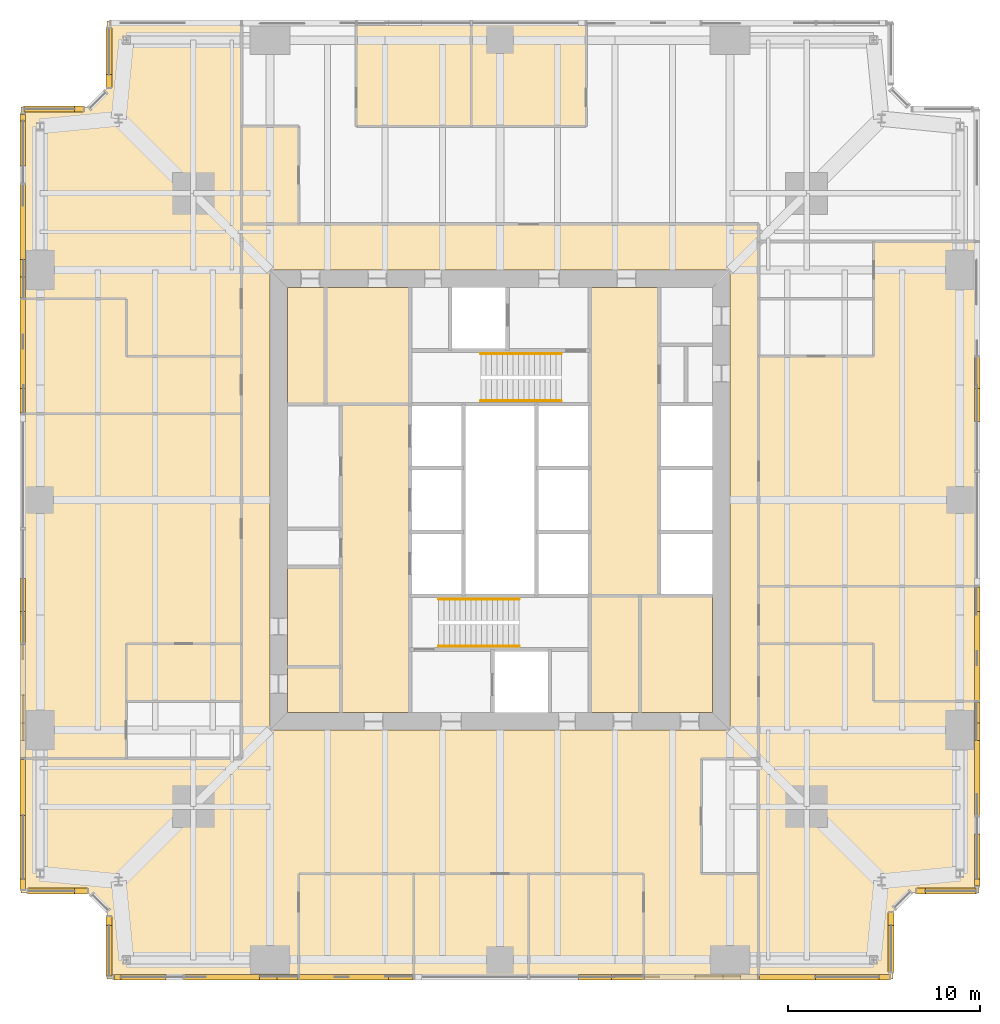
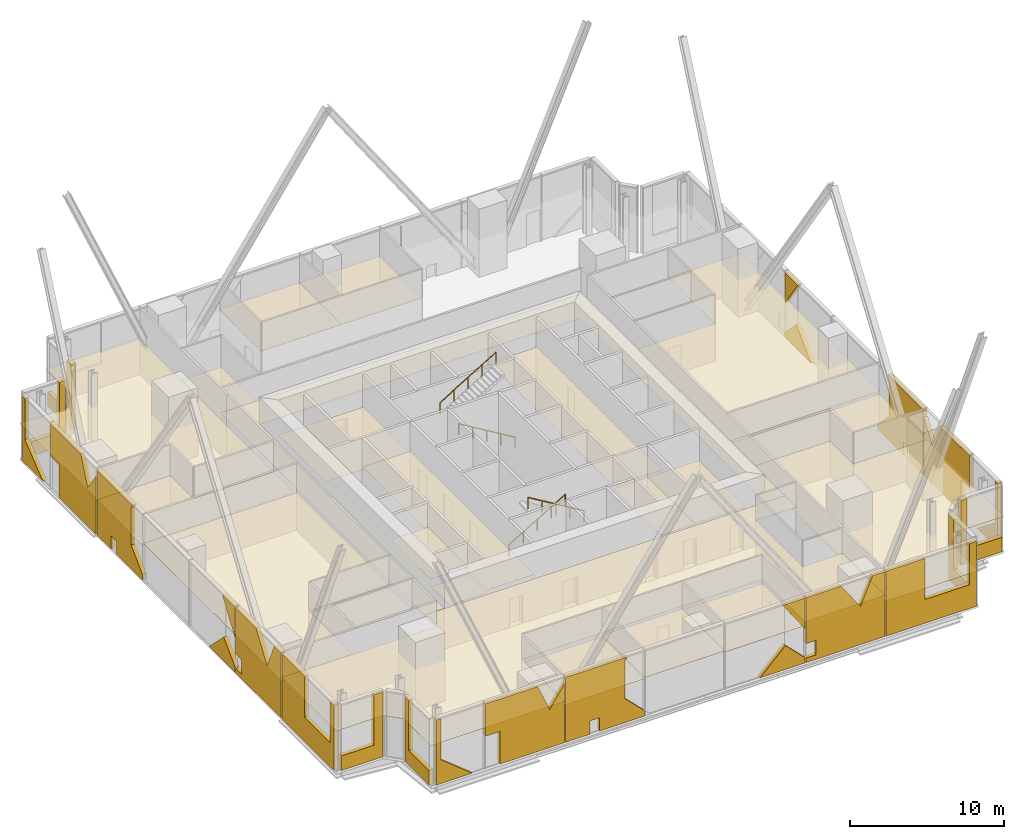
# One storey, part 12 of 13: 48 coverings, 4 railings.
"""IFC4 building model written with IfcOpenShell, lengths in metres."""

from ifc_helpers import new_model, si_unit, direction, frame, origin, origin_2d, place, context, subcontext, project, spatial, polyline, circle, outline, extrude, material, layer, layer_set, type_object, element, save


model = new_model("IFC4")

# Units and contexts
model_context = context("Model", 3, precision=1e-05, world=origin(), true_north=direction((0.0, 1.0)))
body_context = subcontext(model_context, "Body", "Model", "MODEL_VIEW")
ifc_project = project(units=[si_unit("LENGTHUNIT", "METRE"), si_unit("AREAUNIT", "SQUARE_METRE"), si_unit("VOLUMEUNIT", "CUBIC_METRE"), si_unit("PLANEANGLEUNIT", "RADIAN"), si_unit("MASSUNIT", "GRAM", prefix="KILO")], contexts=[model_context])

# Site, building, storey
site_placement = place(None, origin())
site = spatial("IfcSite", under=ifc_project, at=site_placement, CompositionType="ELEMENT")
building_placement = place(site_placement, origin())
building = spatial("IfcBuilding", under=site, at=building_placement, Name="Fenwick Lantern Interchange", CompositionType="ELEMENT")
storey_placement = place(building_placement, frame((0.0, 0.0, 97.0)))
storey = spatial("IfcBuildingStorey", under=building, at=storey_placement, Name="L22", CompositionType="ELEMENT", Elevation=97.0)

# Coverings
ifc_material_1 = material(Name="Mineral fibre acoustic tile on suspended grid")
ifc_layer_1 = layer(ifc_material_1, 0.02001953125)
ifc_layer_set_1 = layer_set([ifc_layer_1], Name="ACOUSTIC TILE CEILING 20")
covering_type_1 = type_object("IfcCoveringType", Name="ACOUSTIC TILE CEILING 20", PredefinedType="CEILING", material=ifc_layer_set_1)
covering_1_placement = place(storey_placement, frame((0.0, 0.0, 2.89990234375)))
element("IfcCovering", 1, at=covering_1_placement, inside=storey, type_object=covering_type_1, Name="Meeting room ceiling", PredefinedType="CEILING", context=body_context, shape_type="SweptSolid", body=[
    extrude(outline(polyline([(14.5, 0.0), (20.5, 0.0), (20.5, 5.5), (14.5, 5.5), (14.5, 0.0)])), origin(), (0.0, 0.0, 1.0), 0.02001953125),
])
covering_2_placement = place(storey_placement, frame((0.0, 0.0, 2.89990234375)))
element("IfcCovering", 2, at=covering_2_placement, inside=storey, type_object=covering_type_1, Name="Meeting room ceiling", PredefinedType="CEILING", context=body_context, shape_type="SweptSolid", body=[
    extrude(outline(polyline([(26.5, 0.0), (32.5, 0.0), (32.5, 5.5), (26.5, 5.5), (26.5, 0.0)])), origin(), (0.0, 0.0, 1.0), 0.02001953125),
])
covering_3_placement = place(storey_placement, frame((0.0, 0.0, 2.699951171875)))
element("IfcCovering", 3, at=covering_3_placement, inside=storey, type_object=covering_type_1, Name="Mail room ceiling", PredefinedType="CEILING", context=body_context, shape_type="SweptSolid", body=[
    extrude(outline(polyline([(46.5, 4.5), (50.0, 4.5), (50.0, 14.5), (44.5, 14.5), (44.5, 17.5), (38.5, 17.5), (38.5, 0.0), (45.5, 0.0), (45.5, 3.5), (46.5, 4.5)])), origin(), (0.0, 0.0, 1.0), 0.02001953125),
])
covering_4_placement = place(storey_placement, frame((0.0, 0.0, 2.699951171875)))
element("IfcCovering", 4, at=covering_4_placement, inside=storey, type_object=covering_type_1, Name="Security office ceiling", PredefinedType="CEILING", context=body_context, shape_type="SweptSolid", body=[
    extrude(outline(polyline([(50.0, 20.5), (38.5, 20.5), (38.5, 17.5), (44.5, 17.5), (44.5, 14.5), (50.0, 14.5), (50.0, 20.5)])), origin(), (0.0, 0.0, 1.0), 0.02001953125),
])
covering_5_placement = place(storey_placement, frame((0.0, 0.0, 2.89990234375)))
element("IfcCovering", 5, at=covering_5_placement, inside=storey, type_object=covering_type_1, Name="Business centre ceiling", PredefinedType="CEILING", context=body_context, shape_type="SweptSolid", body=[
    extrude(outline(polyline([(50.0, 20.5), (50.0, 38.5), (44.5, 38.5), (44.5, 32.5), (38.5, 32.5), (38.5, 20.5), (50.0, 20.5)])), origin(), (0.0, 0.0, 1.0), 0.02001953125),
])
covering_6_placement = place(storey_placement, frame((0.0, 0.0, 2.89990234375)))
element("IfcCovering", 6, at=covering_6_placement, inside=storey, type_object=covering_type_1, Name="Office ceiling", PredefinedType="CEILING", context=body_context, shape_type="SweptSolid", body=[
    extrude(outline(polyline([(29.5, 50.0), (23.5, 50.0), (23.5, 44.5), (29.5, 44.5), (29.5, 50.0)])), origin(), (0.0, 0.0, 1.0), 0.02001953125),
])
covering_7_placement = place(storey_placement, frame((0.0, 0.0, 2.89990234375)))
element("IfcCovering", 7, at=covering_7_placement, inside=storey, type_object=covering_type_1, Name="Meeting room ceiling", PredefinedType="CEILING", context=body_context, shape_type="SweptSolid", body=[
    extrude(outline(polyline([(23.5, 50.0), (17.5, 50.0), (17.5, 44.5), (23.5, 44.5), (23.5, 50.0)])), origin(), (0.0, 0.0, 1.0), 0.02001953125),
])
covering_8_placement = place(storey_placement, frame((0.0, 0.0, 2.699951171875)))
element("IfcCovering", 8, at=covering_8_placement, inside=storey, type_object=covering_type_1, Name="Mail room ceiling", PredefinedType="CEILING", context=body_context, shape_type="SweptSolid", body=[
    extrude(outline(polyline([(3.5, 45.5), (0.0, 45.5), (0.0, 35.5), (5.5, 35.5), (5.5, 32.5), (11.5, 32.5), (11.5, 50.0), (4.5, 50.0), (4.5, 46.5), (3.5, 45.5)])), origin(), (0.0, 0.0, 1.0), 0.02001953125),
])
covering_9_placement = place(storey_placement, frame((0.0, 0.0, 2.699951171875)))
element("IfcCovering", 9, at=covering_9_placement, inside=storey, type_object=covering_type_1, Name="Security office ceiling", PredefinedType="CEILING", context=body_context, shape_type="SweptSolid", body=[
    extrude(outline(polyline([(0.0, 29.5), (11.5, 29.5), (11.5, 32.5), (5.5, 32.5), (5.5, 35.5), (0.0, 35.5), (0.0, 29.5)])), origin(), (0.0, 0.0, 1.0), 0.02001953125),
])
covering_10_placement = place(storey_placement, frame((0.0, 0.0, 2.89990234375)))
element("IfcCovering", 10, at=covering_10_placement, inside=storey, type_object=covering_type_1, Name="Business centre ceiling", PredefinedType="CEILING", context=body_context, shape_type="SweptSolid", body=[
    extrude(outline(polyline([(0.0, 29.5), (0.0, 11.5), (5.5, 11.5), (5.5, 17.5), (11.5, 17.5), (11.5, 29.5), (0.0, 29.5)])), origin(), (0.0, 0.0, 1.0), 0.02001953125),
])
ifc_material_2 = material(Name="Granite cladding, warm grey flamed finish, on aluminium carrier frame", Category="masonry")
ifc_layer_2 = layer(ifc_material_2, 0.300048828125)
ifc_layer_set_2 = layer_set([ifc_layer_2], Name="BRACE CASING PANEL 300")
covering_type_2 = type_object("IfcCoveringType", Name="BRACE CASING PANEL 300", PredefinedType="CLADDING", material=ifc_layer_set_2)
covering_11_placement = place(storey_placement, frame((4.60009765625, 0.10009765625, 0.0), z_axis=(0.0, 0.0, 1.0), x_axis=(1.0, 0.0, 0.0)))
element("IfcCovering", 11, at=covering_11_placement, inside=storey, type_object=covering_type_2, Name="Brace casing 01 bay 00a", PredefinedType="CLADDING", context=body_context, shape_type="SweptSolid", body=[
    extrude(outline(polyline([(0.280029296875, 0.0), (2.968994140625, 0.0), (0.618896484375, 1.880126953125), (0.618896484375, 5.1298828125), (0.280029296875, 5.1298828125), (0.280029296875, 0.0)])), frame((0.0, 0.14990234375, 0.0), z_axis=(0.0, -1.0, 0.0), x_axis=(1.0, 0.0, 0.0)), (0.0, 0.0, 1.0), 0.300048828125),
])
covering_12_placement = place(storey_placement, frame((4.60009765625, 0.10009765625, 0.0), z_axis=(0.0, 0.0, 1.0), x_axis=(1.0, 0.0, 0.0)))
element("IfcCovering", 12, at=covering_12_placement, inside=storey, type_object=covering_type_2, Name="Brace casing 01 bay 01a", PredefinedType="CLADDING", context=body_context, shape_type="SweptSolid", body=[
    extrude(outline(polyline([(5.0400390625, 0.0), (9.860107421875, 0.0), (9.860107421875, 4.61279296875), (8.765625, 3.017822265625), (7.85986328125, 5.1298828125), (3.93994140625, 5.1298828125), (3.93994140625, 2.571533203125), (5.0400390625, 2.571533203125), (5.0400390625, 0.0)])), frame((0.0, 0.14990234375, 0.0), z_axis=(0.0, -1.0, 0.0), x_axis=(1.0, 0.0, 0.0)), (0.0, 0.0, 1.0), 0.300048828125),
])
covering_13_placement = place(storey_placement, frame((4.60009765625, 0.10009765625, 0.0), z_axis=(0.0, 0.0, 1.0), x_axis=(1.0, 0.0, 0.0)))
element("IfcCovering", 13, at=covering_13_placement, inside=storey, type_object=covering_type_2, Name="Brace casing 01 bay 02a", PredefinedType="CLADDING", context=body_context, shape_type="SweptSolid", body=[
    extrude(outline(polyline([(9.93994140625, 0.0), (11.781005859375, 0.0), (11.781005859375, 1.049560546875), (12.5009765625, 1.049560546875), (12.5009765625, 0.0), (15.860107421875, 0.0), (15.860107421875, 0.435546875), (14.39990234375, 1.8955078125), (14.39990234375, 4.86669921875), (14.58056640625, 5.1298828125), (9.93994140625, 5.1298828125), (9.93994140625, 0.0)])), frame((0.0, 0.14990234375, 0.0), z_axis=(0.0, -1.0, 0.0), x_axis=(1.0, 0.0, 0.0)), (0.0, 0.0, 1.0), 0.300048828125),
])
covering_14_placement = place(storey_placement, frame((4.60009765625, 0.10009765625, 0.0), z_axis=(0.0, 0.0, 1.0), x_axis=(1.0, 0.0, 0.0)))
element("IfcCovering", 14, at=covering_14_placement, inside=storey, type_object=covering_type_2, Name="Brace casing 01 bay 04a", PredefinedType="CLADDING", context=body_context, shape_type="SweptSolid", body=[
    extrude(outline(polyline([(24.50439453125, 0.0), (27.860107421875, 0.0), (27.860107421875, 0.435546875), (26.39990234375, 1.8955078125), (24.50439453125, 0.0)])), frame((0.0, 0.14990234375, 0.0), z_axis=(0.0, -1.0, 0.0), x_axis=(1.0, 0.0, 0.0)), (0.0, 0.0, 1.0), 0.300048828125),
])
covering_15_placement = place(storey_placement, frame((4.60009765625, 0.10009765625, 2.73876953125), z_axis=(0.0, 0.0, 1.0), x_axis=(1.0, 0.0, 0.0)))
element("IfcCovering", 15, at=covering_15_placement, inside=storey, type_object=covering_type_2, Name="Brace casing 01 bay 04b", PredefinedType="CLADDING", context=body_context, shape_type="SweptSolid", body=[
    extrude(outline(polyline([(27.860107421875, 0.0), (27.860107421875, 2.39111328125), (26.219482421875, 2.39111328125), (27.860107421875, 0.0)])), frame((0.0, 0.14990234375, 0.0), z_axis=(0.0, -1.0, 0.0), x_axis=(1.0, 0.0, 0.0)), (0.0, 0.0, 1.0), 0.300048828125),
])
covering_16_placement = place(storey_placement, frame((4.60009765625, 0.10009765625, 0.0), z_axis=(0.0, 0.0, 1.0), x_axis=(1.0, 0.0, 0.0)))
element("IfcCovering", 16, at=covering_16_placement, inside=storey, type_object=covering_type_2, Name="Brace casing 01 bay 05a", PredefinedType="CLADDING", context=body_context, shape_type="SweptSolid", body=[
    extrude(outline(polyline([(27.93994140625, 0.0), (33.860107421875, 0.0), (33.860107421875, 5.1298828125), (32.940185546875, 5.1298828125), (32.034423828125, 3.017822265625), (30.585205078125, 5.1298828125), (27.93994140625, 5.1298828125), (27.93994140625, 1.492431640625), (28.715087890625, 1.492431640625), (28.715087890625, 0.35546875), (27.93994140625, 0.35546875), (27.93994140625, 0.0)])), frame((0.0, 0.14990234375, 0.0), z_axis=(0.0, -1.0, 0.0), x_axis=(1.0, 0.0, 0.0)), (0.0, 0.0, 1.0), 0.300048828125),
])
covering_17_placement = place(storey_placement, frame((4.60009765625, 0.10009765625, 0.0), z_axis=(0.0, 0.0, 1.0), x_axis=(1.0, 0.0, 0.0)))
element("IfcCovering", 17, at=covering_17_placement, inside=storey, type_object=covering_type_2, Name="Brace casing 01 bay 06a", PredefinedType="CLADDING", context=body_context, shape_type="SweptSolid", body=[
    extrude(outline(polyline([(33.93994140625, 0.0), (40.719970703125, 0.0), (40.719970703125, 5.1298828125), (40.18115234375, 5.1298828125), (40.18115234375, 1.880126953125), (36.857421875, 1.880126953125), (36.857421875, 5.1298828125), (33.93994140625, 5.1298828125), (33.93994140625, 0.0)])), frame((0.0, 0.14990234375, 0.0), z_axis=(0.0, -1.0, 0.0), x_axis=(1.0, 0.0, 0.0)), (0.0, 0.0, 1.0), 0.300048828125),
])
covering_18_placement = place(storey_placement, frame((45.39990234375, 0.10009765625, 0.0), z_axis=(0.0, 0.0, 1.0), x_axis=(0.0, 1.0, 0.0)))
element("IfcCovering", 18, at=covering_18_placement, inside=storey, type_object=covering_type_2, Name="Brace casing 02 bay 00a", PredefinedType="CLADDING", context=body_context, shape_type="SweptSolid", body=[
    extrude(outline(polyline([(0.280029296875, 0.0), (3.361328125, 0.0), (3.361328125, 5.1298828125), (2.699951171875, 5.1298828125), (2.699951171875, 1.14990234375), (0.280029296875, 1.14990234375), (0.280029296875, 0.0)])), frame((0.0, 0.14990234375, 0.0), z_axis=(0.0, -1.0, 0.0), x_axis=(1.0, 0.0, 0.0)), (0.0, 0.0, 1.0), 0.300048828125),
])
covering_19_placement = place(storey_placement, frame((46.45849609375, 4.60009765625, 0.0), z_axis=(0.0, 0.0, 1.0), x_axis=(1.0, 0.0, 0.0)))
element("IfcCovering", 19, at=covering_19_placement, inside=storey, type_object=covering_type_2, Name="Brace casing 04 bay 00a", PredefinedType="CLADDING", context=body_context, shape_type="SweptSolid", body=[
    extrude(outline(polyline([(0.280029296875, 0.0), (3.361328125, 0.0), (3.361328125, 1.14990234375), (0.741455078125, 1.14990234375), (0.741455078125, 5.1298828125), (0.280029296875, 5.1298828125), (0.280029296875, 0.0)])), frame((0.0, 0.14990234375, 0.0), z_axis=(0.0, -1.0, 0.0), x_axis=(1.0, 0.0, 0.0)), (0.0, 0.0, 1.0), 0.300048828125),
])
covering_20_placement = place(storey_placement, frame((49.89990234375, 4.60009765625, 0.0), z_axis=(0.0, 0.0, 1.0), x_axis=(0.0, 1.0, 0.0)))
element("IfcCovering", 20, at=covering_20_placement, inside=storey, type_object=covering_type_2, Name="Brace casing 05 bay 00a", PredefinedType="CLADDING", context=body_context, shape_type="SweptSolid", body=[
    extrude(outline(polyline([(0.280029296875, 0.0), (2.968994140625, 0.0), (0.618896484375, 1.880126953125), (0.618896484375, 5.1298828125), (0.280029296875, 5.1298828125), (0.280029296875, 0.0)])), frame((0.0, 0.14990234375, 0.0), z_axis=(0.0, -1.0, 0.0), x_axis=(1.0, 0.0, 0.0)), (0.0, 0.0, 1.0), 0.300048828125),
])
covering_21_placement = place(storey_placement, frame((49.89990234375, 4.60009765625, 0.0), z_axis=(0.0, 0.0, 1.0), x_axis=(0.0, 1.0, 0.0)))
element("IfcCovering", 21, at=covering_21_placement, inside=storey, type_object=covering_type_2, Name="Brace casing 05 bay 01a", PredefinedType="CLADDING", context=body_context, shape_type="SweptSolid", body=[
    extrude(outline(polyline([(5.0400390625, 0.0), (9.860107421875, 0.0), (9.860107421875, 4.61279296875), (8.765625, 3.017822265625), (7.85986328125, 5.1298828125), (3.93994140625, 5.1298828125), (3.93994140625, 2.571533203125), (5.0400390625, 2.571533203125), (5.0400390625, 0.0)])), frame((0.0, 0.14990234375, 0.0), z_axis=(0.0, -1.0, 0.0), x_axis=(1.0, 0.0, 0.0)), (0.0, 0.0, 1.0), 0.300048828125),
])
covering_22_placement = place(storey_placement, frame((49.89990234375, 4.60009765625, 0.0), z_axis=(0.0, 0.0, 1.0), x_axis=(0.0, 1.0, 0.0)))
element("IfcCovering", 22, at=covering_22_placement, inside=storey, type_object=covering_type_2, Name="Brace casing 05 bay 02a", PredefinedType="CLADDING", context=body_context, shape_type="SweptSolid", body=[
    extrude(outline(polyline([(9.93994140625, 0.0), (11.781005859375, 0.0), (11.781005859375, 1.049560546875), (12.5009765625, 1.049560546875), (12.5009765625, 0.0), (15.860107421875, 0.0), (15.860107421875, 0.435546875), (14.39990234375, 1.8955078125), (14.39990234375, 4.86669921875), (14.58056640625, 5.1298828125), (9.93994140625, 5.1298828125), (9.93994140625, 0.0)])), frame((0.0, 0.14990234375, 0.0), z_axis=(0.0, -1.0, 0.0), x_axis=(1.0, 0.0, 0.0)), (0.0, 0.0, 1.0), 0.300048828125),
])
covering_23_placement = place(storey_placement, frame((49.89990234375, 4.60009765625, 0.0), z_axis=(0.0, 0.0, 1.0), x_axis=(0.0, 1.0, 0.0)))
element("IfcCovering", 23, at=covering_23_placement, inside=storey, type_object=covering_type_2, Name="Brace casing 05 bay 04a", PredefinedType="CLADDING", context=body_context, shape_type="SweptSolid", body=[
    extrude(outline(polyline([(24.50439453125, 0.0), (27.860107421875, 0.0), (27.860107421875, 0.435546875), (26.39990234375, 1.8955078125), (24.50439453125, 0.0)])), frame((0.0, 0.14990234375, 0.0), z_axis=(0.0, -1.0, 0.0), x_axis=(1.0, 0.0, 0.0)), (0.0, 0.0, 1.0), 0.300048828125),
])
covering_24_placement = place(storey_placement, frame((49.89990234375, 4.60009765625, 2.73876953125), z_axis=(0.0, 0.0, 1.0), x_axis=(0.0, 1.0, 0.0)))
element("IfcCovering", 24, at=covering_24_placement, inside=storey, type_object=covering_type_2, Name="Brace casing 05 bay 04b", PredefinedType="CLADDING", context=body_context, shape_type="SweptSolid", body=[
    extrude(outline(polyline([(27.860107421875, 0.0), (27.860107421875, 2.39111328125), (26.219482421875, 2.39111328125), (27.860107421875, 0.0)])), frame((0.0, 0.14990234375, 0.0), z_axis=(0.0, -1.0, 0.0), x_axis=(1.0, 0.0, 0.0)), (0.0, 0.0, 1.0), 0.300048828125),
])
covering_25_placement = place(storey_placement, frame((4.60009765625, 49.89990234375, 0.0), z_axis=(0.0, 0.0, 1.0), x_axis=(0.0, -1.0, 0.0)))
element("IfcCovering", 25, at=covering_25_placement, inside=storey, type_object=covering_type_2, Name="Brace casing 10 bay 00a", PredefinedType="CLADDING", context=body_context, shape_type="SweptSolid", body=[
    extrude(outline(polyline([(0.280029296875, 0.0), (3.361328125, 0.0), (3.361328125, 5.1298828125), (2.699951171875, 5.1298828125), (2.699951171875, 1.14990234375), (0.280029296875, 1.14990234375), (0.280029296875, 0.0)])), frame((0.0, 0.14990234375, 0.0), z_axis=(0.0, -1.0, 0.0), x_axis=(1.0, 0.0, 0.0)), (0.0, 0.0, 1.0), 0.300048828125),
])
covering_26_placement = place(storey_placement, frame((3.54150390625, 45.39990234375, 0.0), z_axis=(0.0, 0.0, 1.0), x_axis=(-1.0, 0.0, 0.0)))
element("IfcCovering", 26, at=covering_26_placement, inside=storey, type_object=covering_type_2, Name="Brace casing 12 bay 00a", PredefinedType="CLADDING", context=body_context, shape_type="SweptSolid", body=[
    extrude(outline(polyline([(0.280029296875, 0.0), (3.361328125, 0.0), (3.361328125, 1.14990234375), (0.741455078125, 1.14990234375), (0.741455078125, 5.1298828125), (0.280029296875, 5.1298828125), (0.280029296875, 0.0)])), frame((0.0, 0.14990234375, 0.0), z_axis=(0.0, -1.0, 0.0), x_axis=(1.0, 0.0, 0.0)), (0.0, 0.0, 1.0), 0.300048828125),
])
covering_27_placement = place(storey_placement, frame((0.10009765625, 45.39990234375, 0.0), z_axis=(0.0, 0.0, 1.0), x_axis=(0.0, -1.0, 0.0)))
element("IfcCovering", 27, at=covering_27_placement, inside=storey, type_object=covering_type_2, Name="Brace casing 13 bay 00a", PredefinedType="CLADDING", context=body_context, shape_type="SweptSolid", body=[
    extrude(outline(polyline([(0.280029296875, 0.0), (2.968994140625, 0.0), (0.618896484375, 1.880126953125), (0.618896484375, 5.1298828125), (0.280029296875, 5.1298828125), (0.280029296875, 0.0)])), frame((0.0, 0.14990234375, 0.0), z_axis=(0.0, -1.0, 0.0), x_axis=(1.0, 0.0, 0.0)), (0.0, 0.0, 1.0), 0.300048828125),
])
covering_28_placement = place(storey_placement, frame((0.10009765625, 45.39990234375, 0.0), z_axis=(0.0, 0.0, 1.0), x_axis=(0.0, -1.0, 0.0)))
element("IfcCovering", 28, at=covering_28_placement, inside=storey, type_object=covering_type_2, Name="Brace casing 13 bay 01a", PredefinedType="CLADDING", context=body_context, shape_type="SweptSolid", body=[
    extrude(outline(polyline([(5.0400390625, 0.0), (9.860107421875, 0.0), (9.860107421875, 4.61279296875), (8.765625, 3.017822265625), (7.85986328125, 5.1298828125), (3.93994140625, 5.1298828125), (3.93994140625, 2.571533203125), (5.0400390625, 2.571533203125), (5.0400390625, 0.0)])), frame((0.0, 0.14990234375, 0.0), z_axis=(0.0, -1.0, 0.0), x_axis=(1.0, 0.0, 0.0)), (0.0, 0.0, 1.0), 0.300048828125),
])
covering_29_placement = place(storey_placement, frame((0.10009765625, 45.39990234375, 0.0), z_axis=(0.0, 0.0, 1.0), x_axis=(0.0, -1.0, 0.0)))
element("IfcCovering", 29, at=covering_29_placement, inside=storey, type_object=covering_type_2, Name="Brace casing 13 bay 02a", PredefinedType="CLADDING", context=body_context, shape_type="SweptSolid", body=[
    extrude(outline(polyline([(9.93994140625, 0.0), (11.781005859375, 0.0), (11.781005859375, 1.049560546875), (12.5009765625, 1.049560546875), (12.5009765625, 0.0), (15.860107421875, 0.0), (15.860107421875, 0.435546875), (14.39990234375, 1.8955078125), (14.39990234375, 4.86669921875), (14.58056640625, 5.1298828125), (9.93994140625, 5.1298828125), (9.93994140625, 0.0)])), frame((0.0, 0.14990234375, 0.0), z_axis=(0.0, -1.0, 0.0), x_axis=(1.0, 0.0, 0.0)), (0.0, 0.0, 1.0), 0.300048828125),
])
covering_30_placement = place(storey_placement, frame((0.10009765625, 45.39990234375, 0.0), z_axis=(0.0, 0.0, 1.0), x_axis=(0.0, -1.0, 0.0)))
element("IfcCovering", 30, at=covering_30_placement, inside=storey, type_object=covering_type_2, Name="Brace casing 13 bay 04a", PredefinedType="CLADDING", context=body_context, shape_type="SweptSolid", body=[
    extrude(outline(polyline([(24.50439453125, 0.0), (27.860107421875, 0.0), (27.860107421875, 0.435546875), (26.39990234375, 1.8955078125), (24.50439453125, 0.0)])), frame((0.0, 0.14990234375, 0.0), z_axis=(0.0, -1.0, 0.0), x_axis=(1.0, 0.0, 0.0)), (0.0, 0.0, 1.0), 0.300048828125),
])
covering_31_placement = place(storey_placement, frame((0.10009765625, 45.39990234375, 2.73876953125), z_axis=(0.0, 0.0, 1.0), x_axis=(0.0, -1.0, 0.0)))
element("IfcCovering", 31, at=covering_31_placement, inside=storey, type_object=covering_type_2, Name="Brace casing 13 bay 04b", PredefinedType="CLADDING", context=body_context, shape_type="SweptSolid", body=[
    extrude(outline(polyline([(27.860107421875, 0.0), (27.860107421875, 2.39111328125), (26.219482421875, 2.39111328125), (27.860107421875, 0.0)])), frame((0.0, 0.14990234375, 0.0), z_axis=(0.0, -1.0, 0.0), x_axis=(1.0, 0.0, 0.0)), (0.0, 0.0, 1.0), 0.300048828125),
])
covering_32_placement = place(storey_placement, frame((0.10009765625, 45.39990234375, 0.0), z_axis=(0.0, 0.0, 1.0), x_axis=(0.0, -1.0, 0.0)))
element("IfcCovering", 32, at=covering_32_placement, inside=storey, type_object=covering_type_2, Name="Brace casing 13 bay 05a", PredefinedType="CLADDING", context=body_context, shape_type="SweptSolid", body=[
    extrude(outline(polyline([(27.93994140625, 0.0), (33.860107421875, 0.0), (33.860107421875, 5.1298828125), (32.940185546875, 5.1298828125), (32.034423828125, 3.017822265625), (30.585205078125, 5.1298828125), (27.93994140625, 5.1298828125), (27.93994140625, 1.492431640625), (28.715087890625, 1.492431640625), (28.715087890625, 0.35546875), (27.93994140625, 0.35546875), (27.93994140625, 0.0)])), frame((0.0, 0.14990234375, 0.0), z_axis=(0.0, -1.0, 0.0), x_axis=(1.0, 0.0, 0.0)), (0.0, 0.0, 1.0), 0.300048828125),
])
covering_33_placement = place(storey_placement, frame((0.10009765625, 45.39990234375, 0.0), z_axis=(0.0, 0.0, 1.0), x_axis=(0.0, -1.0, 0.0)))
element("IfcCovering", 33, at=covering_33_placement, inside=storey, type_object=covering_type_2, Name="Brace casing 13 bay 06a", PredefinedType="CLADDING", context=body_context, shape_type="SweptSolid", body=[
    extrude(outline(polyline([(33.93994140625, 0.0), (40.719970703125, 0.0), (40.719970703125, 5.1298828125), (40.18115234375, 5.1298828125), (40.18115234375, 1.880126953125), (36.857421875, 1.880126953125), (36.857421875, 5.1298828125), (33.93994140625, 5.1298828125), (33.93994140625, 0.0)])), frame((0.0, 0.14990234375, 0.0), z_axis=(0.0, -1.0, 0.0), x_axis=(1.0, 0.0, 0.0)), (0.0, 0.0, 1.0), 0.300048828125),
])
covering_34_placement = place(storey_placement, frame((0.10009765625, 4.60009765625, 0.0), z_axis=(0.0, 0.0, 1.0), x_axis=(1.0, 0.0, 0.0)))
element("IfcCovering", 34, at=covering_34_placement, inside=storey, type_object=covering_type_2, Name="Brace casing 14 bay 00a", PredefinedType="CLADDING", context=body_context, shape_type="SweptSolid", body=[
    extrude(outline(polyline([(0.280029296875, 0.0), (3.361328125, 0.0), (3.361328125, 5.1298828125), (2.699951171875, 5.1298828125), (2.699951171875, 1.14990234375), (0.280029296875, 1.14990234375), (0.280029296875, 0.0)])), frame((0.0, 0.14990234375, 0.0), z_axis=(0.0, -1.0, 0.0), x_axis=(1.0, 0.0, 0.0)), (0.0, 0.0, 1.0), 0.300048828125),
])
covering_35_placement = place(storey_placement, frame((4.60009765625, 3.54150390625, 0.0), z_axis=(0.0, 0.0, 1.0), x_axis=(0.0, -1.0, 0.0)))
element("IfcCovering", 35, at=covering_35_placement, inside=storey, type_object=covering_type_2, Name="Brace casing 16 bay 00a", PredefinedType="CLADDING", context=body_context, shape_type="SweptSolid", body=[
    extrude(outline(polyline([(0.280029296875, 0.0), (3.361328125, 0.0), (3.361328125, 1.14990234375), (0.741455078125, 1.14990234375), (0.741455078125, 5.1298828125), (0.280029296875, 5.1298828125), (0.280029296875, 0.0)])), frame((0.0, 0.14990234375, 0.0), z_axis=(0.0, -1.0, 0.0), x_axis=(1.0, 0.0, 0.0)), (0.0, 0.0, 1.0), 0.300048828125),
])

# Railings
ifc_material_3 = material(Name="Stainless steel handrail", Category="steel")
railing_type = type_object("IfcRailingType", Name="HANDRAIL 900", PredefinedType="HANDRAIL", material=ifc_material_3)
railing_1_placement = place(storey_placement, frame((21.800048828125, 19.825927734375, 0.168701171875)))
element("IfcRailing", 36, at=railing_1_placement, inside=storey, type_object=railing_type, Name="L22/STAIR/ST1/HR1", PredefinedType="HANDRAIL", context=body_context, shape_type="SweptSolid", body=[
    extrude(circle(Radius=0.02392578125, at=origin_2d()), frame((0.0, 0.0, 0.8759765625), z_axis=(0.856476492594, 0.0, 0.516186030065), x_axis=(0.0, 1.0, 0.0)), (0.0, 0.0, 1.0), 4.90380859375),
    extrude(circle(Radius=0.02099609375, at=origin_2d()), origin(), (0.0, 0.0, 1.0), 0.851806640625),
    extrude(circle(Radius=0.02099609375, at=origin_2d()), frame((1.050048828125, 0.0, 0.6328125)), (0.0, 0.0, 1.0), 0.851806640625),
    extrude(circle(Radius=0.02099609375, at=origin_2d()), frame((2.10009765625, 0.0, 1.265625)), (0.0, 0.0, 1.0), 0.851806640625),
    extrude(circle(Radius=0.02099609375, at=origin_2d()), frame((3.14990234375, 0.0, 1.8984375)), (0.0, 0.0, 1.0), 0.851806640625),
    extrude(circle(Radius=0.02099609375, at=origin_2d()), frame((4.199951171875, 0.0, 2.53125)), (0.0, 0.0, 1.0), 0.851806640625),
])
for number, where, name in (
    (37, (26.0, 17.3740234375, 2.86865234375), "L22/STAIR/ST1/HR2"),
    (38, (28.199951171875, 30.174072265625, 0.168701171875), "L22/STAIR/ST2/HR1"),
):
    element("IfcRailing", number, at=place(storey_placement, frame(where)), inside=storey, type_object=railing_type, Name=name, PredefinedType="HANDRAIL", context=body_context, shape_type="SweptSolid", body=[
        extrude(circle(Radius=0.02392578125, at=origin_2d()), frame((0.0, 0.0, 0.8759765625), z_axis=(-0.856476492594, 0.0, 0.516186030065), x_axis=(0.0, -1.0, 0.0)), (0.0, 0.0, 1.0), 4.90380859375),
        extrude(circle(Radius=0.02099609375, at=origin_2d()), origin(), (0.0, 0.0, 1.0), 0.851806640625),
        extrude(circle(Radius=0.02099609375, at=origin_2d()), frame((-1.050048828125, 0.0, 0.6328125)), (0.0, 0.0, 1.0), 0.851806640625),
        extrude(circle(Radius=0.02099609375, at=origin_2d()), frame((-2.10009765625, 0.0, 1.265625)), (0.0, 0.0, 1.0), 0.851806640625),
        extrude(circle(Radius=0.02099609375, at=origin_2d()), frame((-3.14990234375, 0.0, 1.8984375)), (0.0, 0.0, 1.0), 0.851806640625),
        extrude(circle(Radius=0.02099609375, at=origin_2d()), frame((-4.199951171875, 0.0, 2.53125)), (0.0, 0.0, 1.0), 0.851806640625),
    ])
railing_2_placement = place(storey_placement, frame((24.0, 32.6259765625, 2.86865234375)))
element("IfcRailing", 39, at=railing_2_placement, inside=storey, type_object=railing_type, Name="L22/STAIR/ST2/HR2", PredefinedType="HANDRAIL", context=body_context, shape_type="SweptSolid", body=[
    extrude(circle(Radius=0.02392578125, at=origin_2d()), frame((0.0, 0.0, 0.8759765625), z_axis=(0.856476492594, 0.0, 0.516186030065), x_axis=(0.0, 1.0, 0.0)), (0.0, 0.0, 1.0), 4.90380859375),
    extrude(circle(Radius=0.02099609375, at=origin_2d()), origin(), (0.0, 0.0, 1.0), 0.851806640625),
    extrude(circle(Radius=0.02099609375, at=origin_2d()), frame((1.050048828125, 0.0, 0.6328125)), (0.0, 0.0, 1.0), 0.851806640625),
    extrude(circle(Radius=0.02099609375, at=origin_2d()), frame((2.10009765625, 0.0, 1.265625)), (0.0, 0.0, 1.0), 0.851806640625),
    extrude(circle(Radius=0.02099609375, at=origin_2d()), frame((3.14990234375, 0.0, 1.8984375)), (0.0, 0.0, 1.0), 0.851806640625),
    extrude(circle(Radius=0.02099609375, at=origin_2d()), frame((4.199951171875, 0.0, 2.53125)), (0.0, 0.0, 1.0), 0.851806640625),
])

# Coverings
ifc_material_4 = material(Name="Moisture resistant gypsum board on suspended frame, painted")
ifc_layer_3 = layer(ifc_material_4, 0.014892578125)
ifc_layer_set_3 = layer_set([ifc_layer_3], Name="MOISTURE RESISTANT CEILING 15")
covering_type_3 = type_object("IfcCoveringType", Name="MOISTURE RESISTANT CEILING 15", PredefinedType="CEILING", material=ifc_layer_set_3)
covering_36_placement = place(storey_placement, frame((0.0, 0.0, 2.60009765625)))
element("IfcCovering", 40, at=covering_36_placement, inside=storey, type_object=covering_type_3, Name="Men's WC ceiling", PredefinedType="CEILING", context=body_context, shape_type="SweptSolid", body=[
    extrude(outline(polyline([(29.699951171875, 13.89990234375), (32.300048828125, 13.89990234375), (32.300048828125, 20.0), (29.699951171875, 20.0), (29.699951171875, 13.89990234375)])), origin(), (0.0, 0.0, 1.0), 0.014892578125),
])
covering_37_placement = place(storey_placement, frame((0.0, 0.0, 2.60009765625)))
element("IfcCovering", 41, at=covering_37_placement, inside=storey, type_object=covering_type_3, Name="Women's WC ceiling", PredefinedType="CEILING", context=body_context, shape_type="SweptSolid", body=[
    extrude(outline(polyline([(32.300048828125, 13.89990234375), (36.10009765625, 13.89990234375), (36.10009765625, 20.0), (32.300048828125, 20.0), (32.300048828125, 13.89990234375)])), origin(), (0.0, 0.0, 1.0), 0.014892578125),
])
covering_38_placement = place(storey_placement, frame((0.0, 0.0, 2.60009765625)))
element("IfcCovering", 42, at=covering_38_placement, inside=storey, type_object=covering_type_3, Name="Accessible WC ceiling", PredefinedType="CEILING", context=body_context, shape_type="SweptSolid", body=[
    extrude(outline(polyline([(13.89990234375, 13.89990234375), (16.699951171875, 13.89990234375), (16.699951171875, 16.300048828125), (13.89990234375, 16.300048828125), (13.89990234375, 13.89990234375)])), origin(), (0.0, 0.0, 1.0), 0.014892578125),
])
covering_39_placement = place(storey_placement, frame((0.0, 0.0, 2.60009765625)))
element("IfcCovering", 43, at=covering_39_placement, inside=storey, type_object=covering_type_3, Name="Women's WC ceiling", PredefinedType="CEILING", context=body_context, shape_type="SweptSolid", body=[
    extrude(outline(polyline([(20.300048828125, 36.10009765625), (15.89990234375, 36.10009765625), (15.89990234375, 30.0), (20.300048828125, 30.0), (20.300048828125, 36.10009765625)])), origin(), (0.0, 0.0, 1.0), 0.014892578125),
])
covering_40_placement = place(storey_placement, frame((0.0, 0.0, 2.60009765625)))
element("IfcCovering", 44, at=covering_40_placement, inside=storey, type_object=covering_type_3, Name="Men's WC ceiling", PredefinedType="CEILING", context=body_context, shape_type="SweptSolid", body=[
    extrude(outline(polyline([(15.89990234375, 36.10009765625), (13.89990234375, 36.10009765625), (13.89990234375, 30.0), (15.89990234375, 30.0), (15.89990234375, 36.10009765625)])), origin(), (0.0, 0.0, 1.0), 0.014892578125),
])
covering_41_placement = place(storey_placement, frame((0.0, 0.0, 3.0)))
element("IfcCovering", 45, at=covering_41_placement, inside=storey, type_object=covering_type_3, Name="Lobby cafe kitchen ceiling", PredefinedType="CEILING", context=body_context, shape_type="SweptSolid", body=[
    extrude(outline(polyline([(20.5, 0.0), (26.5, 0.0), (26.5, 5.5), (20.5, 5.5), (20.5, 0.0)])), origin(), (0.0, 0.0, 1.0), 0.014892578125),
])
covering_42_placement = place(storey_placement, frame((0.0, 0.0, 2.699951171875)))
element("IfcCovering", 46, at=covering_42_placement, inside=storey, type_object=covering_type_3, Name="Pantry ceiling", PredefinedType="CEILING", context=body_context, shape_type="SweptSolid", body=[
    extrude(outline(polyline([(14.5, 44.5), (11.5, 44.5), (11.5, 39.39990234375), (14.5, 39.39990234375), (14.5, 44.5)])), origin(), (0.0, 0.0, 1.0), 0.01513671875),
])
covering_43_placement = place(storey_placement, frame((0.0, 0.0, 2.699951171875)))
element("IfcCovering", 47, at=covering_43_placement, inside=storey, type_object=covering_type_3, Name="Pantry ceiling", PredefinedType="CEILING", context=body_context, shape_type="SweptSolid", body=[
    extrude(outline(polyline([(5.5, 17.5), (5.5, 14.5), (11.5, 14.5), (11.5, 17.5), (5.5, 17.5)])), origin(), (0.0, 0.0, 1.0), 0.01513671875),
])
ifc_material_5 = material(Name="Gypsum plasterboard on suspended frame, painted")
ifc_layer_4 = layer(ifc_material_5, 0.014892578125)
ifc_layer_set_4 = layer_set([ifc_layer_4], Name="PLASTERBOARD CEILING 15")
covering_type_4 = type_object("IfcCoveringType", Name="PLASTERBOARD CEILING 15", PredefinedType="CEILING", material=ifc_layer_set_4)
covering_44_placement = place(storey_placement, frame((0.0, 0.0, 2.800048828125)))
element("IfcCovering", 48, at=covering_44_placement, inside=storey, type_object=covering_type_4, Name="Lift lobby ceiling", PredefinedType="CEILING", context=body_context, shape_type="SweptSolid", body=[
    extrude(outline(polyline([(16.699951171875, 13.89990234375), (20.300048828125, 13.89990234375), (20.300048828125, 30.0), (16.699951171875, 30.0), (16.699951171875, 13.89990234375)])), origin(), (0.0, 0.0, 1.0), 0.014892578125),
])
covering_45_placement = place(storey_placement, frame((0.0, 0.0, 3.199951171875)))
element("IfcCovering", 49, at=covering_45_placement, inside=storey, type_object=covering_type_4, Name="Sky lobby store ceiling", PredefinedType="CEILING", context=body_context, shape_type="SweptSolid", body=[
    extrude(outline(polyline([(13.89990234375, 16.300048828125), (16.699951171875, 16.300048828125), (16.699951171875, 21.5), (13.89990234375, 21.5), (13.89990234375, 16.300048828125)])), origin(), (0.0, 0.0, 1.0), 0.01513671875),
])
covering_46_placement = place(storey_placement, frame((0.0, 0.0, 2.800048828125)))
element("IfcCovering", 50, at=covering_46_placement, inside=storey, type_object=covering_type_4, Name="Lift lobby ceiling", PredefinedType="CEILING", context=body_context, shape_type="SweptSolid", body=[
    extrude(outline(polyline([(33.300048828125, 36.10009765625), (29.699951171875, 36.10009765625), (29.699951171875, 20.0), (33.300048828125, 20.0), (33.300048828125, 36.10009765625)])), origin(), (0.0, 0.0, 1.0), 0.014892578125),
])
covering_47_placement = place(storey_placement, frame((0.0, 0.0, 3.199951171875)))
element("IfcCovering", 51, at=covering_47_placement, inside=storey, type_object=covering_type_4, Name="Sky lobby ceiling", PredefinedType="CEILING", context=body_context, shape_type="SweptSolid", body=[
    extrude(outline(polyline([(11.5, 39.39990234375), (11.5, 13.0), (13.0, 13.0), (13.0, 37.0), (37.0, 37.0), (37.0, 13.0), (38.5, 13.0), (38.5, 39.39990234375), (11.5, 39.39990234375)])), origin(), (0.0, 0.0, 1.0), 0.01513671875),
])
covering_48_placement = place(storey_placement, frame((0.0, 0.0, 3.199951171875)))
element("IfcCovering", 52, at=covering_48_placement, inside=storey, type_object=covering_type_4, Name="Arrival lounge ceiling", PredefinedType="CEILING", context=body_context, shape_type="SweptSolid", body=[
    extrude(outline(polyline([(32.5, 0.0), (38.5, 0.0), (38.5, 5.5), (35.5, 5.5), (35.5, 11.5), (38.5, 11.5), (38.5, 13.0), (11.5, 13.0), (11.5, 11.5), (0.0, 11.5), (0.0, 4.5), (3.5, 4.5), (4.5, 3.5), (4.5, 0.0), (14.5, 0.0), (14.5, 5.5), (32.5, 5.5), (32.5, 0.0)])), origin(), (0.0, 0.0, 1.0), 0.01513671875),
])

save(model, "model.ifc")
